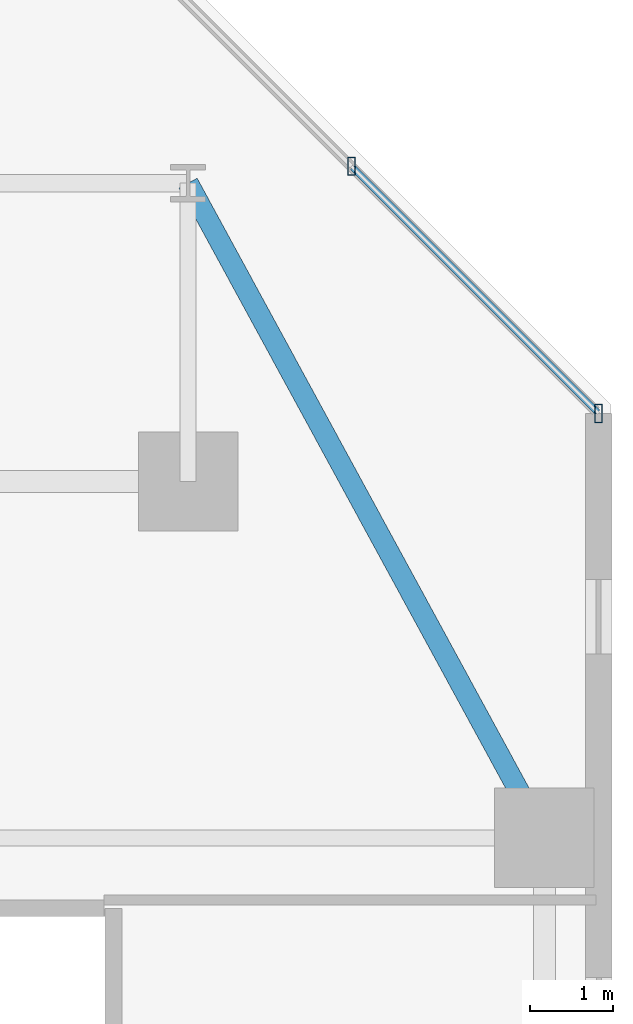
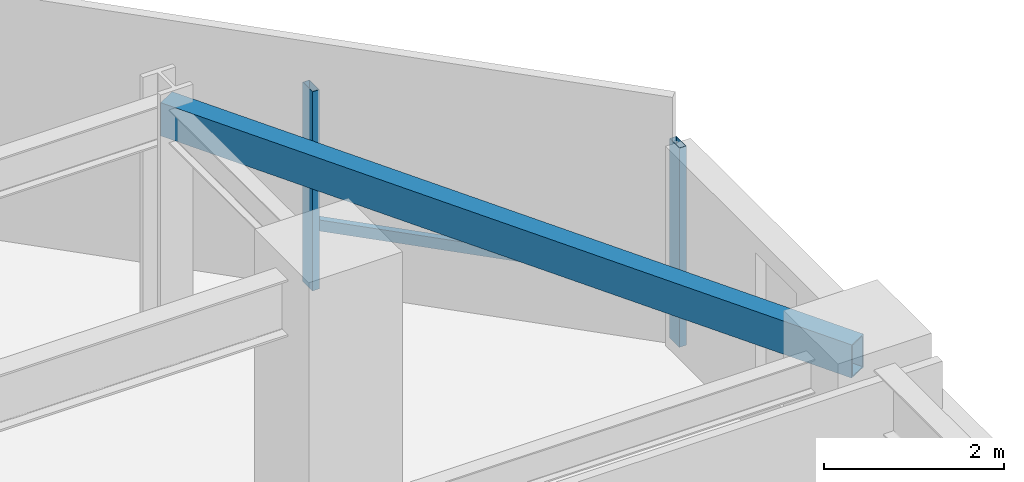
# One storey, part 14 of 30: 3 members, 1 beam, 1 element without a shape of its own.
"""IFC4 building model written with IfcOpenShell, lengths in metres."""

from ifc_helpers import new_model, si_unit, direction, frame, origin, origin_2d, place, context, subcontext, project, spatial, hollow_rectangle, extrude, material, material_profile, profile_set, type_object, element, aggregate, save


model = new_model("IFC4")

# Units and contexts
model_context = context("Model", 3, precision=1e-05, world=origin(), true_north=direction((0.0, 1.0)))
body_context = subcontext(model_context, "Body", "Model", "MODEL_VIEW")
ifc_project = project(units=[si_unit("LENGTHUNIT", "METRE"), si_unit("AREAUNIT", "SQUARE_METRE"), si_unit("VOLUMEUNIT", "CUBIC_METRE"), si_unit("PLANEANGLEUNIT", "RADIAN"), si_unit("MASSUNIT", "GRAM", prefix="KILO")], contexts=[model_context])

# Site, building, storey
site_placement = place(None, origin())
site = spatial("IfcSite", under=ifc_project, at=site_placement, CompositionType="ELEMENT")
building_placement = place(site_placement, origin())
building = spatial("IfcBuilding", under=site, at=building_placement, Name="Thornwick Lancets Civic Towers", CompositionType="ELEMENT")
storey_placement = place(building_placement, frame((0.0, 0.0, 80.10009765625)))
storey = spatial("IfcBuildingStorey", under=building, at=storey_placement, Name="L20", CompositionType="ELEMENT", Elevation=80.10009765625)

# Beam
ifc_material_1 = material(Name="Steel S355JR", Category="steel")
ifc_material_profile_1 = material_profile(ifc_material_1, hollow_rectangle(XDim=0.25, YDim=0.449951171875, WallThickness=0.01611328125, at=origin_2d()), Name="RHS 450x250x16")
ifc_profile_set_1 = profile_set([ifc_material_profile_1], Name="Steel S355JR")
beam_type = type_object("IfcBeamType", Name="BM_RING_RHS450", PredefinedType="BEAM", material=ifc_profile_set_1)
beam_placement = place(storey_placement, frame((105.800048828125, 40.0, 3.135009765625), z_axis=(-0.478081722712, 0.878315357038, 0.0), x_axis=(-0.878315357038, -0.478081722712, 0.0)))
element("IfcBeam", 1, at=beam_placement, inside=storey, type_object=beam_type, Name="BM-CHAMF-L20-B-C0", PredefinedType="BEAM", context=body_context, shape_type="SweptSolid", body=[
    extrude(hollow_rectangle(XDim=0.25, YDim=0.449951171875, WallThickness=0.01611328125, at=origin_2d()), origin(), (0.0, 0.0, 1.0), 8.994384765625),
])

# Curtain wall, members
ifc_material_2 = material(Name="Low-zone chamfered-corner unitised glass curtain wall", Category="glass")
curtain_wall_type = type_object("IfcCurtainWallType", Name="CW_SYS_03", PredefinedType="NOTDEFINED", material=ifc_material_2)
curtain_wall_placement = place(storey_placement, origin())
curtain_wall = element("IfcCurtainWall", 2, at=curtain_wall_placement, inside=storey, type_object=curtain_wall_type, Name="L20 Curtain Wall CW-L20-B-E3", PredefinedType="NOTDEFINED")
ifc_material_3 = material(Name="Thermally broken bronze aluminium S355", Category="steel")
ifc_material_profile_2 = material_profile(ifc_material_3, hollow_rectangle(XDim=0.090087890625, YDim=0.219970703125, WallThickness=0.00634765625, at=origin_2d()), Name="RHS 220x90x6.3")
ifc_profile_set_2 = profile_set([ifc_material_profile_2], Name="Thermally broken bronze aluminium S355")
member_type_1 = type_object("IfcMemberType", Name="CW_MUL_220", PredefinedType="MULLION", material=ifc_profile_set_2)
member_1_placement = place(storey_placement, frame((106.4541015625, 45.12158203125, 0.0), z_axis=(0.0, 0.0, 1.0), x_axis=(1.0, 0.0, 0.0)))
member_1 = element("IfcMember", 3, at=member_1_placement, type_object=member_type_1, Name="CW-L20-B-E3 Mullion 0", PredefinedType="MULLION", context=body_context, shape_type="SweptSolid", body=[
    extrude(hollow_rectangle(XDim=0.090087890625, YDim=0.219970703125, WallThickness=0.00634765625, at=origin_2d()), origin(), (0.0, 0.0, 1.0), 2.699951171875),
])
member_2_placement = place(storey_placement, frame((103.4716796875, 48.10400390625, 0.0), z_axis=(0.0, 0.0, 1.0), x_axis=(1.0, 0.0, 0.0)))
member_2 = element("IfcMember", 4, at=member_2_placement, type_object=member_type_1, Name="CW-L20-B-E3 Mullion 1", PredefinedType="MULLION", context=body_context, shape_type="SweptSolid", body=[
    extrude(hollow_rectangle(XDim=0.090087890625, YDim=0.219970703125, WallThickness=0.00634765625, at=origin_2d()), origin(), (0.0, 0.0, 1.0), 2.699951171875),
])
ifc_material_profile_3 = material_profile(ifc_material_3, hollow_rectangle(XDim=0.074951171875, YDim=0.14990234375, WallThickness=0.0048828125, at=origin_2d()), Name="RHS 150x75x5")
ifc_profile_set_3 = profile_set([ifc_material_profile_3], Name="Thermally broken bronze aluminium S355")
member_type_2 = type_object("IfcMemberType", Name="CW_TRN_150", PredefinedType="USERDEFINED", material=ifc_profile_set_3)
member_3_placement = place(storey_placement, frame((106.43994140625, 45.1357421875, 0.849853515625), z_axis=(-0.707106781187, 0.707106781187, 0.0), x_axis=(-0.707106781187, -0.707106781187, 0.0)))
member_3 = element("IfcMember", 5, at=member_3_placement, type_object=member_type_2, Name="CW-L20-B-E3 Transom 0", ObjectType="TRANSOM", PredefinedType="USERDEFINED", context=body_context, shape_type="SweptSolid", body=[
    extrude(hollow_rectangle(XDim=0.074951171875, YDim=0.14990234375, WallThickness=0.0048828125, at=origin_2d()), origin(), (0.0, 0.0, 1.0), 4.177734375),
])
aggregate(curtain_wall, [member_1, member_2, member_3])

save(model, "model.ifc")
